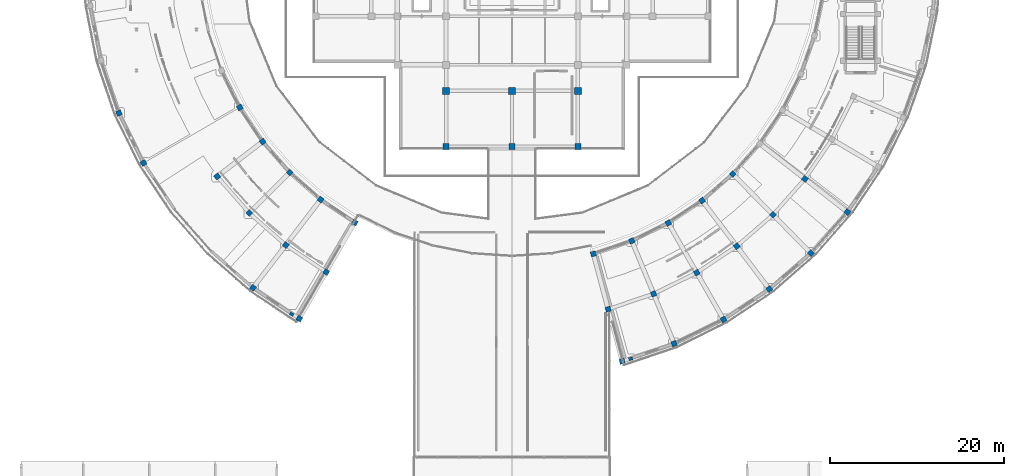
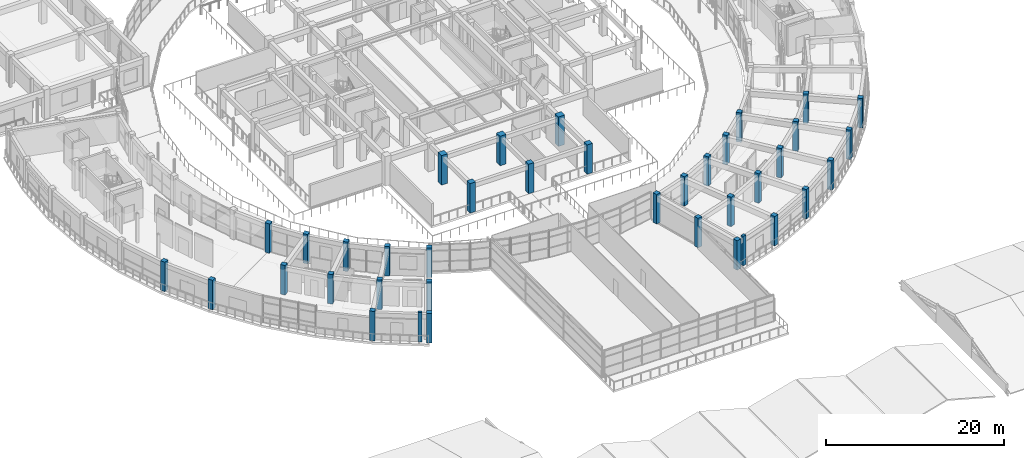
# One storey, part 1 of 83: 38 columns.
"""IFC4 building model written with IfcOpenShell, lengths in metres."""

from ifc_helpers import new_model, si_unit, direction, frame, origin, origin_2d, place, context, subcontext, project, spatial, rectangle, extrude, material, material_profile, profile_set, type_object, element, save


model = new_model("IFC4")

# Units and contexts
model_context = context("Model", 3, precision=1e-05, world=origin(), true_north=direction((0.0, 1.0)))
body_context = subcontext(model_context, "Body", "Model", "MODEL_VIEW")
ifc_project = project(units=[si_unit("LENGTHUNIT", "METRE"), si_unit("AREAUNIT", "SQUARE_METRE"), si_unit("VOLUMEUNIT", "CUBIC_METRE"), si_unit("PLANEANGLEUNIT", "RADIAN"), si_unit("MASSUNIT", "GRAM", prefix="KILO")], contexts=[model_context])

# Site, building, storey
site_placement = place(None, origin())
site = spatial("IfcSite", under=ifc_project, at=site_placement, CompositionType="ELEMENT")
building_placement = place(site_placement, origin())
building = spatial("IfcBuilding", under=site, at=building_placement, Name="Saryqyr Civic Hall", CompositionType="ELEMENT")
storey_placement = place(building_placement, frame((0.0, 0.0, 9.14990234375)))
storey = spatial("IfcBuildingStorey", under=building, at=storey_placement, Name="L02", CompositionType="ELEMENT", Elevation=9.14990234375)

# Columns
ifc_material_1 = material(Name="Concrete C40/50", Category="concrete")
ifc_material_profile_1 = material_profile(ifc_material_1, rectangle(XDim=0.60009765625, YDim=0.60009765625, at=origin_2d()), Name="RC 600x600")
ifc_profile_set_1 = profile_set([ifc_material_profile_1], Name="Concrete C40/50")
column_type_1 = type_object("IfcColumnType", Name="STR-COL-RC600-C40", PredefinedType="COLUMN", material=ifc_profile_set_1)
for number, where, z_axis, x_axis, name in (
    (1, (11.72998046875, 65.24853515625, 0.0), (0.0, 0.0, 1.0), (-0.923879532511, -0.382683432365, 0.0), "Column V4-COL-OUT05-L02"),
    (2, (25.64990234375, 65.89990234375, 0.0), (0.0, 0.0, 1.0), (-0.866025403784, -0.5, 0.0), "Column V4-COL-IN06-L02"),
    (3, (14.564697265625, 59.5, 0.0), (0.0, 0.0, 1.0), (-0.866025403784, -0.5, 0.0), "Column V4-COL-OUT06-L02"),
    (4, (28.280517578125, 61.962890625, 0.0), (0.0, 0.0, 1.0), (-0.793353340291, -0.608761429009, 0.0), "Column V4-COL-IN07-L02"),
    (5, (23.04443359375, 57.945068359375, 0.0), (0.0, 0.0, 1.0), (-0.793353340291, -0.608761429009, 0.0), "Column V4-COL-MID07-L02"),
    (6, (31.402587890625, 58.402587890625, 0.0), (0.0, 0.0, 1.0), (-0.707106781187, -0.707106781187, 0.0), "Column V4-COL-IN08-L02"),
    (7, (26.73583984375, 53.73583984375, 0.0), (0.0, 0.0, 1.0), (-0.707106781187, -0.707106781187, 0.0), "Column V4-COL-MID08-L02"),
    (8, (34.962890625, 55.280517578125, 0.0), (0.0, 0.0, 1.0), (-0.608761429009, -0.793353340291, 0.0), "Column V4-COL-IN09-L02"),
    (9, (30.945068359375, 50.04443359375, 0.0), (0.0, 0.0, 1.0), (-0.608761429009, -0.793353340291, 0.0), "Column V4-COL-MID09-L02"),
    (10, (27.170654296875, 45.125732421875, 0.0), (0.0, 0.0, 1.0), (-0.608761429009, -0.793353340291, 0.0), "Column V4-COL-OUT09-L02"),
    (11, (38.89990234375, 52.64990234375, 0.0), (0.0, 0.0, 1.0), (-0.5, -0.866025403784, 0.0), "Column V4-COL-IN10-L02"),
    (12, (35.60009765625, 46.93408203125, 0.0), (0.0, 0.0, 1.0), (-0.5, -0.866025403784, 0.0), "Column V4-COL-MID10-L02"),
    (13, (32.5, 41.564697265625, 0.0), (0.0, 0.0, 1.0), (-0.5, -0.866025403784, 0.0), "Column V4-COL-OUT10-L02"),
    (14, (66.369140625, 49.033447265625, 0.0), (0.0, 0.0, 1.0), (0.258819045103, -0.965925826289, 0.0), "Column V5-COL-IN00-L02"),
    (15, (68.077392578125, 42.658447265625, 0.0), (0.0, 0.0, 1.0), (0.258819045103, -0.965925826289, 0.0), "Column V5-COL-MID00-L02"),
    (16, (69.68212890625, 36.669677734375, 0.0), (0.0, 0.0, 1.0), (0.258819045103, -0.965925826289, 0.0), "Column V5-COL-OUT00-L02"),
    (17, (70.797607421875, 50.53271484375, 0.0), (0.0, 0.0, 1.0), (0.38107037635, -0.924546033612, 0.0), "Column V5-COL-IN01-L02"),
    (18, (73.313232421875, 44.430908203125, 0.0), (0.0, 0.0, 1.0), (0.38107037635, -0.924546033612, 0.0), "Column V5-COL-MID01-L02"),
    (19, (75.676513671875, 38.698974609375, 0.0), (0.0, 0.0, 1.0), (0.38107037635, -0.924546033612, 0.0), "Column V5-COL-OUT01-L02"),
    (20, (74.995849609375, 52.590087890625, 0.0), (0.0, 0.0, 1.0), (0.4971254071, -0.867678701833, 0.0), "Column V5-COL-IN02-L02"),
    (21, (78.277099609375, 46.86328125, 0.0), (0.0, 0.0, 1.0), (0.4971254071, -0.867678701833, 0.0), "Column V5-COL-MID02-L02"),
    (22, (81.359130859375, 41.483642578125, 0.0), (0.0, 0.0, 1.0), (0.4971254071, -0.867678701833, 0.0), "Column V5-COL-OUT02-L02"),
    (23, (78.89404296875, 55.17138671875, 0.0), (0.0, 0.0, 1.0), (0.604877119416, -0.796318824597, 0.0), "Column V5-COL-IN03-L02"),
    (24, (82.8857421875, 49.915283203125, 0.0), (0.0, 0.0, 1.0), (0.604877119416, -0.796318824597, 0.0), "Column V5-COL-MID03-L02"),
    (25, (86.635498046875, 44.977783203125, 0.0), (0.0, 0.0, 1.0), (0.604877119416, -0.796318824597, 0.0), "Column V5-COL-OUT03-L02"),
    (26, (82.427001953125, 58.2333984375, 0.0), (0.0, 0.0, 1.0), (0.70240155419, -0.711780904964, 0.0), "Column V5-COL-IN04-L02"),
    (27, (87.062744140625, 53.535888671875, 0.0), (0.0, 0.0, 1.0), (0.70240155419, -0.711780904964, 0.0), "Column V5-COL-MID04-L02"),
    (28, (91.417724609375, 49.122802734375, 0.0), (0.0, 0.0, 1.0), (0.70240155419, -0.711780904964, 0.0), "Column V5-COL-OUT04-L02"),
    (29, (90.73828125, 57.664306640625, 0.0), (0.0, 0.0, 1.0), (0.78822561199, -0.615386370179, 0.0), "Column V5-COL-MID05-L02"),
    (30, (95.625732421875, 53.849365234375, 0.0), (0.0, 0.0, 1.0), (0.78822561199, -0.615386370179, 0.0), "Column V5-COL-OUT05-L02"),
):
    element("IfcColumn", number, at=place(storey_placement, frame(where, z_axis=z_axis, x_axis=x_axis)), inside=storey, type_object=column_type_1, Name=name, PredefinedType="COLUMN", context=body_context, shape_type="SweptSolid", body=[
        extrude(rectangle(XDim=0.60009765625, YDim=0.60009765625, at=origin_2d()), origin(), (0.0, 0.0, 1.0), 4.050048828125),
    ])
ifc_material_profile_2 = material_profile(ifc_material_1, rectangle(XDim=0.699951171875, YDim=0.699951171875, at=origin_2d()), Name="RC 700x700")
ifc_profile_set_2 = profile_set([ifc_material_profile_2], Name="Concrete C40/50")
column_type_2 = type_object("IfcColumnType", Name="STR-COL-RC700-C40", PredefinedType="COLUMN", material=ifc_profile_set_2)
for number, where, z_axis, x_axis, name in (
    (31, (49.39990234375, 61.39990234375, 0.0), (0.0, 0.0, 1.0), (1.0, 0.0, 0.0), "Column V1-COL-S1P07-L02"),
    (32, (57.0, 61.39990234375, 0.0), (0.0, 0.0, 1.0), (1.0, 0.0, 0.0), "Column V1-COL-S1P08-L02"),
    (33, (64.60009765625, 61.39990234375, 0.0), (0.0, 0.0, 1.0), (1.0, 0.0, 0.0), "Column V1-COL-S1P09-L02"),
):
    element("IfcColumn", number, at=place(storey_placement, frame(where, z_axis=z_axis, x_axis=x_axis)), inside=storey, type_object=column_type_2, Name=name, PredefinedType="COLUMN", context=body_context, shape_type="SweptSolid", body=[
        extrude(rectangle(XDim=0.699951171875, YDim=0.699951171875, at=origin_2d()), origin(), (0.0, 0.0, 1.0), 4.050048828125),
    ])
ifc_material_profile_3 = material_profile(ifc_material_1, rectangle(XDim=0.800048828125, YDim=0.800048828125, at=origin_2d()), Name="RC 800x800")
ifc_profile_set_3 = profile_set([ifc_material_profile_3], Name="Concrete C40/50")
column_type_3 = type_object("IfcColumnType", Name="STR-COL-RC800-C40", PredefinedType="COLUMN", material=ifc_profile_set_3)
for number, where, z_axis, x_axis, name in (
    (34, (49.39990234375, 67.800048828125, 0.0), (0.0, 0.0, 1.0), (1.0, 0.0, 0.0), "Column V1-COL-S3P07-L02"),
    (35, (57.0, 67.800048828125, 0.0), (0.0, 0.0, 1.0), (1.0, 0.0, 0.0), "Column V1-COL-S3P08-L02"),
    (36, (64.60009765625, 67.800048828125, 0.0), (0.0, 0.0, 1.0), (1.0, 0.0, 0.0), "Column V1-COL-S3P09-L02"),
):
    element("IfcColumn", number, at=place(storey_placement, frame(where, z_axis=z_axis, x_axis=x_axis)), inside=storey, type_object=column_type_3, Name=name, PredefinedType="COLUMN", context=body_context, shape_type="SweptSolid", body=[
        extrude(rectangle(XDim=0.800048828125, YDim=0.800048828125, at=origin_2d()), origin(), (0.0, 0.0, 1.0), 4.050048828125),
    ])
ifc_material_2 = material(Name="Concrete C35/45", Category="concrete")
ifc_material_profile_4 = material_profile(ifc_material_2, rectangle(XDim=0.35009765625, YDim=0.449951171875, at=origin_2d()), Name="RC 350x450")
ifc_profile_set_4 = profile_set([ifc_material_profile_4], Name="Concrete C35/45")
column_type_4 = type_object("IfcColumnType", Name="STR-PIL-RC350x450-EXT", PredefinedType="PILASTER", material=ifc_profile_set_4)
for number, where, z_axis, x_axis, name in (
    (37, (31.61669921875, 42.087158203125, 0.0), (0.0, 0.0, 1.0), (-0.5, -0.866025403784, 0.0), "Column V4-PIL-10-L02"),
    (38, (70.670654296875, 36.945556640625, 0.0), (0.0, 0.0, 1.0), (0.258819045103, -0.965925826289, 0.0), "Column V5-PIL-00-L02"),
):
    element("IfcColumn", number, at=place(storey_placement, frame(where, z_axis=z_axis, x_axis=x_axis)), inside=storey, type_object=column_type_4, Name=name, PredefinedType="PILASTER", context=body_context, shape_type="SweptSolid", body=[
        extrude(rectangle(XDim=0.35009765625, YDim=0.449951171875, at=origin_2d()), origin(), (0.0, 0.0, 1.0), 4.050048828125),
    ])

save(model, "model.ifc")
